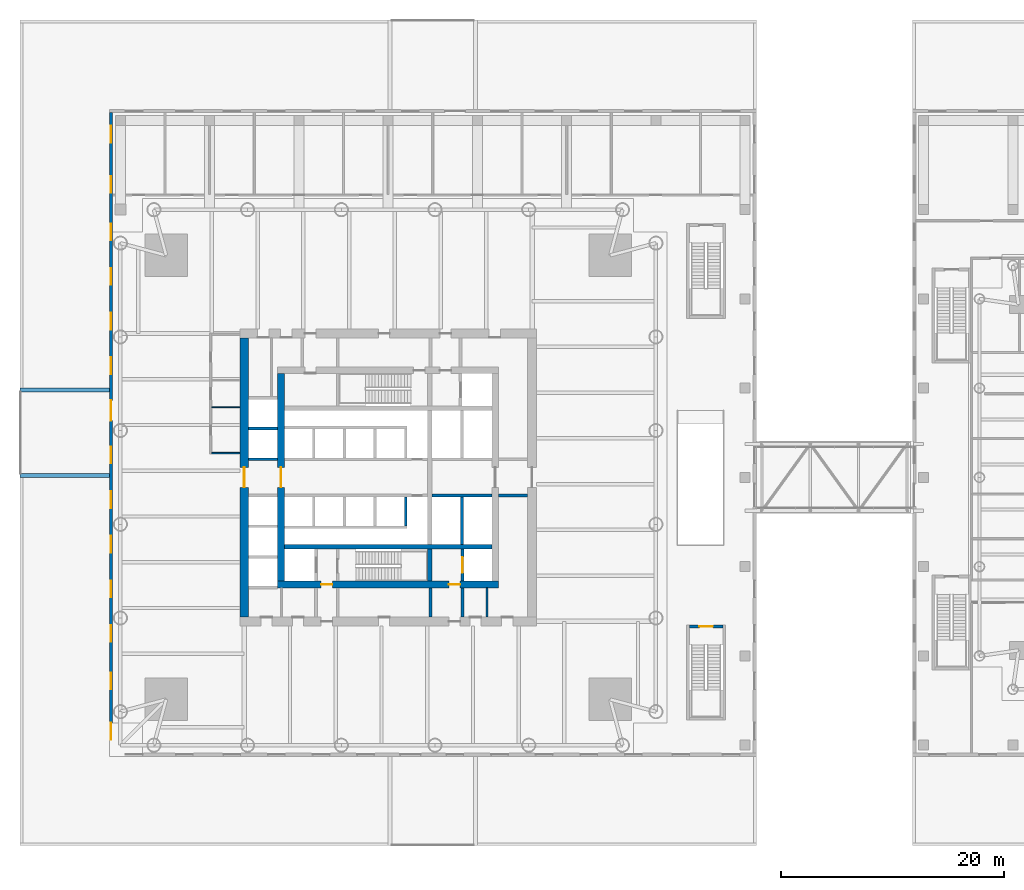
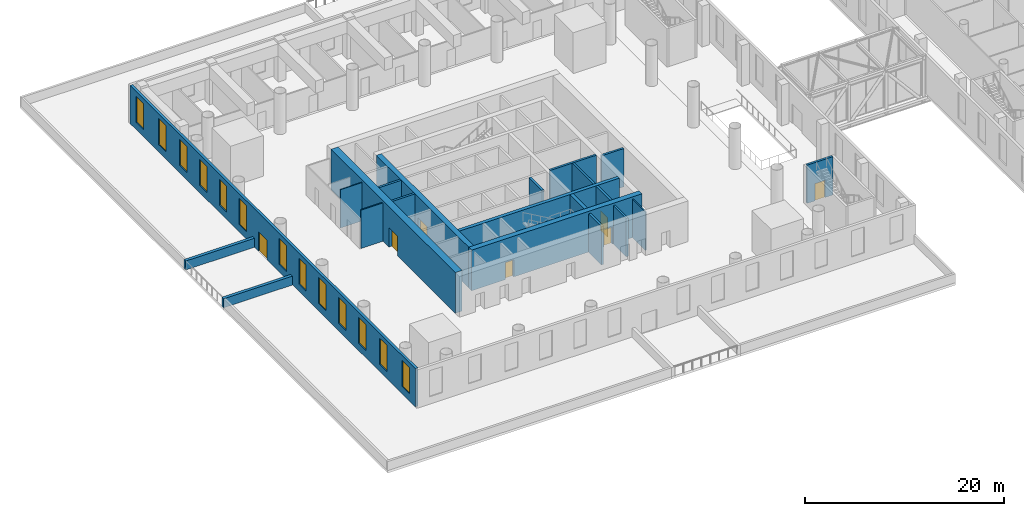
# One storey, part 10 of 23: 21 walls, 13 windows, 7 doors, 20 openings.
"""IFC4 building model written with IfcOpenShell, lengths in metres."""

from ifc_helpers import new_model, si_unit, direction, frame, frame_2d, origin, place, context, subcontext, project, spatial, rectangle, extrude, material, layer, layer_set, type_object, element, fill, save


model = new_model("IFC4")

# Units and contexts
model_context = context("Model", 3, precision=1e-05, world=origin(), true_north=direction((0.0, 1.0)))
body_context = subcontext(model_context, "Body", "Model", "MODEL_VIEW")
ifc_project = project(units=[si_unit("LENGTHUNIT", "METRE"), si_unit("AREAUNIT", "SQUARE_METRE"), si_unit("VOLUMEUNIT", "CUBIC_METRE"), si_unit("PLANEANGLEUNIT", "RADIAN"), si_unit("MASSUNIT", "GRAM", prefix="KILO")], contexts=[model_context])

# Site, building, storey
site_placement = place(None, origin())
site = spatial("IfcSite", under=ifc_project, at=site_placement, CompositionType="ELEMENT")
building_placement = place(site_placement, origin())
building = spatial("IfcBuilding", under=site, at=building_placement, Name="Ostroluk Exchange", CompositionType="ELEMENT")
storey_placement = place(building_placement, frame((0.0, 0.0, 11.0)))
storey = spatial("IfcBuildingStorey", under=building, at=storey_placement, Name="L02", CompositionType="ELEMENT", Elevation=11.0)

# Walls
ifc_material_1 = material(Name="Concrete blockwork", Category="masonry")
ifc_layer_1 = layer(ifc_material_1, 0.10009765625)
ifc_layer_set_1 = layer_set([ifc_layer_1], Name="Blockwork WC wall 100")
wall_type_1 = type_object("IfcWallType", Name="Blockwork WC wall 100", PredefinedType="SOLIDWALL", material=ifc_layer_set_1)
wall_1_placement = place(storey_placement, frame((29.175048828125, 52.300048828125, 0.0), z_axis=(0.0, 0.0, 1.0), x_axis=(1.0, 0.0, 0.0)))
element("IfcWall", 1, at=wall_1_placement, inside=storey, type_object=wall_type_1, Name="Blockwork WC wall", PredefinedType="SOLIDWALL", context=body_context, shape_type="SweptSolid", body=[
    extrude(rectangle(XDim=2.52490234375, YDim=0.10009765625, at=frame_2d((1.262451171875, 0.0))), origin(), (0.0, 0.0, 1.0), 4.699951171875),
])
ifc_material_2 = material(Name="Concrete blockwork", Category="masonry")
ifc_layer_2 = layer(ifc_material_2, 0.14990234375)
ifc_layer_set_2 = layer_set([ifc_layer_2], Name="Blockwork plant room wall 150")
wall_type_2 = type_object("IfcWallType", Name="Blockwork plant room wall 150", PredefinedType="SOLIDWALL", material=ifc_layer_set_2)
wall_2_placement = place(storey_placement, frame((53.85205078125, 33.5, 0.0), z_axis=(0.0, 0.0, 1.0), x_axis=(0.0, 1.0, 0.0)))
element("IfcWall", 2, at=wall_2_placement, inside=storey, type_object=wall_type_2, Name="Core room wall", PredefinedType="SOLIDWALL", context=body_context, shape_type="SweptSolid", body=[
    extrude(rectangle(XDim=2.60009765625, YDim=0.14990234375, at=frame_2d((1.300048828125, 0.0))), origin(), (0.0, 0.0, 1.0), 4.699951171875),
])
ifc_material_3 = material(Name="Concrete blockwork", Category="masonry")
ifc_layer_3 = layer(ifc_material_3, 0.25)
ifc_layer_set_3 = layer_set([ifc_layer_3], Name="Blockwork stair enclosure wall 250")
wall_type_3 = type_object("IfcWallType", Name="Blockwork stair enclosure wall 250", PredefinedType="SOLIDWALL", material=ifc_layer_set_3)
for number, where, z_axis, x_axis, name in (
    (3, (54.89990234375, 44.375, 0.0), (0.0, 0.0, 1.0), (1.0, 0.0, 0.0), "Lift lobby enclosure wall"),
    (4, (48.804931640625, 33.5, 0.0), (0.0, 0.0, 1.0), (0.0, 1.0, 0.0), "Service lobby enclosure wall"),
    (5, (51.675048828125, 33.5, 0.0), (0.0, 0.0, 1.0), (0.0, 1.0, 0.0), "Service lobby enclosure wall"),
):
    element("IfcWall", number, at=place(storey_placement, frame(where, z_axis=z_axis, x_axis=x_axis)), inside=storey, type_object=wall_type_3, Name=name, PredefinedType="SOLIDWALL", context=body_context, shape_type="SweptSolid", body=[
        extrude(rectangle(XDim=2.60009765625, YDim=0.25, at=frame_2d((1.300048828125, 0.0))), origin(), (0.0, 0.0, 1.0), 4.699951171875),
    ])

# Wall, opening, door
wall_3_placement = place(storey_placement, frame((72.0, 32.625, 0.0), z_axis=(0.0, 0.0, 1.0), x_axis=(1.0, 0.0, 0.0)))
wall_3 = element("IfcWall", 6, at=wall_3_placement, inside=storey, type_object=wall_type_3, Name="Stair PS3 enclosure wall", PredefinedType="SOLIDWALL", context=body_context, shape_type="SweptSolid", body=[
    extrude(rectangle(XDim=3.0, YDim=0.25, at=frame_2d((1.5, 0.0))), origin(), (0.0, 0.0, 1.0), 4.699951171875),
])
opening_1_placement = place(wall_3_placement, frame((0.89990234375, 0.0, 0.0)))
opening_1 = element("IfcOpeningElement", 7, at=opening_1_placement, cuts=wall_3, Name="Opening FD60S", PredefinedType="OPENING", context=body_context, shape_type="SweptSolid", body=[
    extrude(rectangle(XDim=1.199951171875, YDim=2.10009765625, at=frame_2d((0.60009765625, 1.050048828125))), frame((0.0, 0.135009765625, 0.0), z_axis=(0.0, -1.0, 0.0), x_axis=(1.0, 0.0, 0.0)), (0.0, 0.0, 1.0), 0.27001953125),
])
ifc_material_4 = material(Name="Steel", Category="steel")
door_type_1 = type_object("IfcDoorType", Name="Stair door EI 60 1200 x 2100", OperationType="SINGLE_SWING_LEFT", PredefinedType="DOOR", material=ifc_material_4)
door_1_placement = place(opening_1_placement, origin())
door_1 = element("IfcDoor", 8, at=door_1_placement, inside=storey, type_object=door_type_1, Name="Stair PS3 door", OperationType="SINGLE_SWING_LEFT", OverallHeight=2.10009765625, OverallWidth=1.199951171875, PredefinedType="DOOR", context=body_context, shape_type="SweptSolid", body=[
    extrude(rectangle(XDim=1.199951171875, YDim=2.10009765625, at=frame_2d((0.60009765625, 1.050048828125))), frame((0.0, 0.02490234375, 0.0), z_axis=(0.0, -1.0, 0.0), x_axis=(1.0, 0.0, 0.0)), (0.0, 0.0, 1.0), 0.050048828125),
])
fill(opening_1, door_1)

# Walls
ifc_material_5 = material(Name="Concrete C50/60", Category="concrete")
ifc_layer_4 = layer(ifc_material_5, 0.39990234375)
ifc_layer_set_4 = layer_set([ifc_layer_4], Name="Core cross wall 400 C50/60")
wall_type_4 = type_object("IfcWallType", Name="Core cross wall 400 C50/60", PredefinedType="SHEAR", material=ifc_layer_set_4)
wall_4_placement = place(storey_placement, frame((35.699951171875, 39.800048828125, 0.0), z_axis=(0.0, 0.0, 1.0), x_axis=(1.0, 0.0, 0.0)))
element("IfcWall", 9, at=wall_4_placement, inside=storey, type_object=wall_type_4, Name="T1 core wall XS", PredefinedType="SHEAR", context=body_context, shape_type="SweptSolid", body=[
    extrude(rectangle(XDim=18.60009765625, YDim=0.39990234375, at=frame_2d((9.300048828125, 0.0))), origin(), (0.0, 0.0, 1.0), 5.0),
])
wall_5_placement = place(storey_placement, frame((48.72998046875, 36.699951171875, 0.0), z_axis=(0.0, 0.0, 1.0), x_axis=(0.0, 1.0, 0.0)))
element("IfcWall", 10, at=wall_5_placement, inside=storey, type_object=wall_type_4, Name="T1 core wall YE1", PredefinedType="SHEAR", context=body_context, shape_type="SweptSolid", body=[
    extrude(rectangle(XDim=2.900146484375, YDim=0.39990234375, at=frame_2d((1.4501953125, 0.0))), origin(), (0.0, 0.0, 1.0), 5.0),
])

# Wall, opening, door
ifc_material_6 = material(Name="Concrete C40/50", Category="concrete")
ifc_layer_5 = layer(ifc_material_6, 0.25)
ifc_layer_set_5 = layer_set([ifc_layer_5], Name="Core shaft wall 250")
wall_type_5 = type_object("IfcWallType", Name="Core shaft wall 250", PredefinedType="SHEAR", material=ifc_layer_set_5)
wall_6_placement = place(storey_placement, frame((51.675048828125, 36.699951171875, 0.0), z_axis=(0.0, 0.0, 1.0), x_axis=(0.0, 1.0, 0.0)))
wall_6 = element("IfcWall", 11, at=wall_6_placement, inside=storey, type_object=wall_type_5, Name="Service lift shaft wall", PredefinedType="SHEAR", context=body_context, shape_type="SweptSolid", body=[
    extrude(rectangle(XDim=2.900146484375, YDim=0.25, at=frame_2d((1.4501953125, 0.0))), origin(), (0.0, 0.0, 1.0), 5.0),
])
opening_2_placement = place(wall_6_placement, frame((0.75, 0.0, 0.0)))
opening_2 = element("IfcOpeningElement", 12, at=opening_2_placement, cuts=wall_6, Name="Opening LD3", PredefinedType="OPENING", context=body_context, shape_type="SweptSolid", body=[
    extrude(rectangle(XDim=1.39990234375, YDim=2.39990234375, at=frame_2d((0.699951171875, 1.199951171875))), frame((0.0, 0.135009765625, 0.0), z_axis=(0.0, -1.0, 0.0), x_axis=(1.0, 0.0, 0.0)), (0.0, 0.0, 1.0), 0.27001953125),
])
ifc_material_7 = material(Name="Stainless steel", Category="steel")
door_type_2 = type_object("IfcDoorType", Name="Goods lift landing door E 60 1400 x 2400", OperationType="DOUBLE_DOOR_SLIDING", PredefinedType="DOOR", material=ifc_material_7)
door_2_placement = place(opening_2_placement, origin())
door_2 = element("IfcDoor", 13, at=door_2_placement, inside=storey, type_object=door_type_2, Name="Lift SL1 landing door", OperationType="DOUBLE_DOOR_SLIDING", OverallHeight=2.39990234375, OverallWidth=1.39990234375, PredefinedType="DOOR", context=body_context, shape_type="SweptSolid", body=[
    extrude(rectangle(XDim=1.39990234375, YDim=2.39990234375, at=frame_2d((0.699951171875, 1.199951171875))), frame((0.0, 0.02490234375, 0.0), z_axis=(0.0, -1.0, 0.0), x_axis=(1.0, 0.0, 0.0)), (0.0, 0.0, 1.0), 0.050048828125),
])
fill(opening_2, door_2)

# Walls
wall_7_placement = place(storey_placement, frame((46.574951171875, 44.25, 0.0), z_axis=(0.0, 0.0, 1.0), x_axis=(0.0, -1.0, 0.0)))
element("IfcWall", 14, at=wall_7_placement, inside=storey, type_object=wall_type_5, Name="Lift shaft wall", PredefinedType="SHEAR", context=body_context, shape_type="SweptSolid", body=[
    extrude(rectangle(XDim=2.60009765625, YDim=0.25, at=frame_2d((1.300048828125, 0.0))), origin(), (0.0, 0.0, 1.0), 5.0),
])
wall_8_placement = place(storey_placement, frame((51.614990234375, 44.25, 0.0), z_axis=(0.0, 0.0, 1.0), x_axis=(0.0, -1.0, 0.0)))
element("IfcWall", 15, at=wall_8_placement, inside=storey, type_object=wall_type_5, Name="Lift shaft wall", PredefinedType="SHEAR", context=body_context, shape_type="SweptSolid", body=[
    extrude(rectangle(XDim=4.25, YDim=0.25, at=frame_2d((2.125, 0.0))), origin(), (0.0, 0.0, 1.0), 5.0),
])
wall_9_placement = place(storey_placement, frame((48.929931640625, 44.375, 0.0), z_axis=(0.0, 0.0, 1.0), x_axis=(1.0, 0.0, 0.0)))
element("IfcWall", 16, at=wall_9_placement, inside=storey, type_object=wall_type_5, Name="Lift shaft front wall", PredefinedType="SHEAR", context=body_context, shape_type="SweptSolid", body=[
    extrude(rectangle(XDim=5.3701171875, YDim=0.25, at=frame_2d((2.68505859375, 0.0))), origin(), (0.0, 0.0, 1.0), 5.0),
])
for number, where, z_axis, x_axis, name in (
    (17, (32.5, 47.625, 0.0), (0.0, 0.0, 1.0), (1.0, 0.0, 0.0), "Lift shaft wall"),
    (18, (32.5, 50.375, 0.0), (0.0, 0.0, 1.0), (1.0, 0.0, 0.0), "Lift shaft wall"),
):
    element("IfcWall", number, at=place(storey_placement, frame(where, z_axis=z_axis, x_axis=x_axis)), inside=storey, type_object=wall_type_5, Name=name, PredefinedType="SHEAR", context=body_context, shape_type="SweptSolid", body=[
        extrude(rectangle(XDim=2.60009765625, YDim=0.25, at=frame_2d((1.300048828125, 0.0))), origin(), (0.0, 0.0, 1.0), 5.0),
    ])

# Wall, openings, doors
ifc_material_8 = material(Name="Concrete C50/60", Category="concrete")
ifc_layer_6 = layer(ifc_material_8, 0.60009765625)
ifc_layer_set_6 = layer_set([ifc_layer_6], Name="Core wall 600 C50/60")
wall_type_6 = type_object("IfcWallType", Name="Core wall 600 C50/60", PredefinedType="SHEAR", material=ifc_layer_set_6)
wall_10_placement = place(storey_placement, frame((35.10009765625, 36.39990234375, 0.0), z_axis=(0.0, 0.0, 1.0), x_axis=(1.0, 0.0, 0.0)))
wall_10 = element("IfcWall", 19, at=wall_10_placement, inside=storey, type_object=wall_type_6, Name="T1 core wall S", PredefinedType="SHEAR", context=body_context, shape_type="SweptSolid", body=[
    extrude(rectangle(XDim=19.7998046875, YDim=0.60009765625, at=frame_2d((9.89990234375, 0.0))), origin(), (0.0, 0.0, 1.0), 5.0),
])
opening_3_placement = place(wall_10_placement, frame((3.89990234375, 0.0, 0.0)))
opening_3 = element("IfcOpeningElement", 20, at=opening_3_placement, cuts=wall_10, Name="Opening FD60", PredefinedType="OPENING", context=body_context, shape_type="SweptSolid", body=[
    extrude(rectangle(XDim=1.0, YDim=2.10009765625, at=frame_2d((0.5, 1.050048828125))), frame((0.0, 0.31005859375, 0.0), z_axis=(0.0, -1.0, 0.0), x_axis=(1.0, 0.0, 0.0)), (0.0, 0.0, 1.0), 0.6201171875),
])
opening_4_placement = place(wall_10_placement, frame((15.35009765625, 0.0, 0.0)))
opening_4 = element("IfcOpeningElement", 21, at=opening_4_placement, cuts=wall_10, Name="Opening FD60", PredefinedType="OPENING", context=body_context, shape_type="SweptSolid", body=[
    extrude(rectangle(XDim=1.0, YDim=2.10009765625, at=frame_2d((0.5, 1.050048828125))), frame((0.0, 0.31005859375, 0.0), z_axis=(0.0, -1.0, 0.0), x_axis=(1.0, 0.0, 0.0)), (0.0, 0.0, 1.0), 0.6201171875),
])
ifc_material_9 = material(Name="Steel", Category="steel")
door_type_3 = type_object("IfcDoorType", Name="Fire door EI 60 1000 x 2100", OperationType="SINGLE_SWING_LEFT", PredefinedType="DOOR", material=ifc_material_9)
door_3_placement = place(opening_3_placement, origin())
door_3 = element("IfcDoor", 22, at=door_3_placement, inside=storey, type_object=door_type_3, Name="Firefighting lobby door", OperationType="SINGLE_SWING_LEFT", OverallHeight=2.10009765625, OverallWidth=1.0, PredefinedType="DOOR", context=body_context, shape_type="SweptSolid", body=[
    extrude(rectangle(XDim=1.0, YDim=2.10009765625, at=frame_2d((0.5, 1.050048828125))), frame((0.0, 0.02490234375, 0.0), z_axis=(0.0, -1.0, 0.0), x_axis=(1.0, 0.0, 0.0)), (0.0, 0.0, 1.0), 0.050048828125),
])
fill(opening_3, door_3)
door_4_placement = place(opening_4_placement, origin())
door_4 = element("IfcDoor", 23, at=door_4_placement, inside=storey, type_object=door_type_3, Name="Service lobby door", OperationType="SINGLE_SWING_RIGHT", OverallHeight=2.10009765625, OverallWidth=1.0, PredefinedType="DOOR", context=body_context, shape_type="SweptSolid", body=[
    extrude(rectangle(XDim=1.0, YDim=2.10009765625, at=frame_2d((0.5, 1.050048828125))), frame((0.0, 0.02490234375, 0.0), z_axis=(0.0, -1.0, 0.0), x_axis=(1.0, 0.0, 0.0)), (0.0, 0.0, 1.0), 0.050048828125),
])
fill(opening_4, door_4)

# Wall, opening, door
wall_11_placement = place(storey_placement, frame((35.39990234375, 36.699951171875, 0.0), z_axis=(0.0, 0.0, 1.0), x_axis=(0.0, 1.0, 0.0)))
wall_11 = element("IfcWall", 24, at=wall_11_placement, inside=storey, type_object=wall_type_6, Name="T1 core wall W", PredefinedType="SHEAR", context=body_context, shape_type="SweptSolid", body=[
    extrude(rectangle(XDim=18.60009765625, YDim=0.60009765625, at=frame_2d((9.300048828125, 0.0))), origin(), (0.0, 0.0, 1.0), 5.0),
])
opening_5_placement = place(wall_11_placement, frame((8.39990234375, 0.0, 0.0)))
opening_5 = element("IfcOpeningElement", 25, at=opening_5_placement, cuts=wall_11, Name="Opening FD30D", PredefinedType="OPENING", context=body_context, shape_type="SweptSolid", body=[
    extrude(rectangle(XDim=1.800048828125, YDim=2.39990234375, at=frame_2d((0.89990234375, 1.199951171875))), frame((0.0, 0.31005859375, 0.0), z_axis=(0.0, -1.0, 0.0), x_axis=(1.0, 0.0, 0.0)), (0.0, 0.0, 1.0), 0.6201171875),
])
ifc_material_10 = material(Name="Timber", Category="wood")
door_type_4 = type_object("IfcDoorType", Name="Lobby double door EI 30 1800 x 2400", OperationType="DOUBLE_DOOR_SINGLE_SWING", PredefinedType="DOOR", material=ifc_material_10)
door_5_placement = place(opening_5_placement, origin())
door_5 = element("IfcDoor", 26, at=door_5_placement, inside=storey, type_object=door_type_4, Name="Lift lobby doors", OperationType="DOUBLE_DOOR_SINGLE_SWING", OverallHeight=2.39990234375, OverallWidth=1.800048828125, PredefinedType="DOOR", context=body_context, shape_type="SweptSolid", body=[
    extrude(rectangle(XDim=1.800048828125, YDim=2.39990234375, at=frame_2d((0.89990234375, 1.199951171875))), frame((0.0, 0.02490234375, 0.0), z_axis=(0.0, -1.0, 0.0), x_axis=(1.0, 0.0, 0.0)), (0.0, 0.0, 1.0), 0.050048828125),
])
fill(opening_5, door_5)

ifc_material_11 = material(Name="Concrete C50/60", Category="concrete")
ifc_layer_7 = layer(ifc_material_11, 0.800048828125)
ifc_layer_set_7 = layer_set([ifc_layer_7], Name="Core wall 800 C50/60")
wall_type_7 = type_object("IfcWallType", Name="Core wall 800 C50/60", PredefinedType="SHEAR", material=ifc_layer_set_7)
wall_12_placement = place(storey_placement, frame((32.10009765625, 33.5, 0.0), z_axis=(0.0, 0.0, 1.0), x_axis=(0.0, 1.0, 0.0)))
wall_12 = element("IfcWall", 27, at=wall_12_placement, inside=storey, type_object=wall_type_7, Name="T1 core wall RW", PredefinedType="SHEAR", context=body_context, shape_type="SweptSolid", body=[
    extrude(rectangle(XDim=25.0, YDim=0.800048828125, at=frame_2d((12.5, 0.0))), origin(), (0.0, 0.0, 1.0), 5.0),
])
opening_6_placement = place(wall_12_placement, frame((11.60009765625, 0.0, 0.0)))
opening_6 = element("IfcOpeningElement", 28, at=opening_6_placement, cuts=wall_12, Name="Opening FD30D", PredefinedType="OPENING", context=body_context, shape_type="SweptSolid", body=[
    extrude(rectangle(XDim=1.800048828125, YDim=2.39990234375, at=frame_2d((0.89990234375, 1.199951171875))), frame((0.0, 0.409912109375, 0.0), z_axis=(0.0, -1.0, 0.0), x_axis=(1.0, 0.0, 0.0)), (0.0, 0.0, 1.0), 0.820068359375),
])
door_6_placement = place(opening_6_placement, origin())
door_6 = element("IfcDoor", 29, at=door_6_placement, inside=storey, type_object=door_type_4, Name="Lift lobby doors", OperationType="DOUBLE_DOOR_SINGLE_SWING", OverallHeight=2.39990234375, OverallWidth=1.800048828125, PredefinedType="DOOR", context=body_context, shape_type="SweptSolid", body=[
    extrude(rectangle(XDim=1.800048828125, YDim=2.39990234375, at=frame_2d((0.89990234375, 1.199951171875))), frame((0.0, 0.02490234375, 0.0), z_axis=(0.0, -1.0, 0.0), x_axis=(1.0, 0.0, 0.0)), (0.0, 0.0, 1.0), 0.050048828125),
])
fill(opening_6, door_6)

# Wall, openings, windows, door
ifc_material_12 = material(Name="Limestone", Category="masonry")
ifc_layer_8 = layer(ifc_material_12, 0.300048828125)
ifc_layer_set_8 = layer_set([ifc_layer_8], Name="Limestone facade wall 300")
wall_type_8 = type_object("IfcWallType", Name="Limestone facade wall 300", PredefinedType="SOLIDWALL", material=ifc_layer_set_8)
wall_13_placement = place(storey_placement, frame((20.14990234375, 78.699951171875, 0.0), z_axis=(0.0, 0.0, 1.0), x_axis=(0.0, -1.0, 0.0)))
wall_13 = element("IfcWall", 30, at=wall_13_placement, inside=storey, type_object=wall_type_8, Name="Podium west W wall L02 1a", PredefinedType="SOLIDWALL", context=body_context, shape_type="SweptSolid", body=[
    extrude(rectangle(XDim=57.39990234375, YDim=0.300048828125, at=frame_2d((28.699951171875, 0.0))), origin(), (0.0, 0.0, 1.0), 4.699951171875),
])
opening_7_placement = place(wall_13_placement, frame((1.199951171875, 0.0, 0.89990234375)))
opening_7 = element("IfcOpeningElement", 31, at=opening_7_placement, cuts=wall_13, Name="Opening WN-L2", PredefinedType="OPENING", context=body_context, shape_type="SweptSolid", body=[
    extrude(rectangle(XDim=1.5, YDim=3.199951171875, at=frame_2d((0.75, 1.60009765625))), frame((0.0, 0.159912109375, 0.0), z_axis=(0.0, -1.0, 0.0), x_axis=(1.0, 0.0, 0.0)), (0.0, 0.0, 1.0), 0.320068359375),
])
opening_8_placement = place(wall_13_placement, frame((5.699951171875, 0.0, 0.89990234375)))
opening_8 = element("IfcOpeningElement", 32, at=opening_8_placement, cuts=wall_13, Name="Opening WN-L2", PredefinedType="OPENING", context=body_context, shape_type="SweptSolid", body=[
    extrude(rectangle(XDim=1.5, YDim=3.199951171875, at=frame_2d((0.75, 1.60009765625))), frame((0.0, 0.159912109375, 0.0), z_axis=(0.0, -1.0, 0.0), x_axis=(1.0, 0.0, 0.0)), (0.0, 0.0, 1.0), 0.320068359375),
])
opening_9_placement = place(wall_13_placement, frame((9.949951171875, 0.0, 0.89990234375)))
opening_9 = element("IfcOpeningElement", 33, at=opening_9_placement, cuts=wall_13, Name="Opening WN-L2", PredefinedType="OPENING", context=body_context, shape_type="SweptSolid", body=[
    extrude(rectangle(XDim=1.5, YDim=3.199951171875, at=frame_2d((0.75, 1.60009765625))), frame((0.0, 0.159912109375, 0.0), z_axis=(0.0, -1.0, 0.0), x_axis=(1.0, 0.0, 0.0)), (0.0, 0.0, 1.0), 0.320068359375),
])
opening_10_placement = place(wall_13_placement, frame((13.949951171875, 0.0, 0.89990234375)))
opening_10 = element("IfcOpeningElement", 34, at=opening_10_placement, cuts=wall_13, Name="Opening WN-L2", PredefinedType="OPENING", context=body_context, shape_type="SweptSolid", body=[
    extrude(rectangle(XDim=1.5, YDim=3.199951171875, at=frame_2d((0.75, 1.60009765625))), frame((0.0, 0.159912109375, 0.0), z_axis=(0.0, -1.0, 0.0), x_axis=(1.0, 0.0, 0.0)), (0.0, 0.0, 1.0), 0.320068359375),
])
opening_11_placement = place(wall_13_placement, frame((17.949951171875, 0.0, 0.89990234375)))
opening_11 = element("IfcOpeningElement", 35, at=opening_11_placement, cuts=wall_13, Name="Opening WN-L2", PredefinedType="OPENING", context=body_context, shape_type="SweptSolid", body=[
    extrude(rectangle(XDim=1.5, YDim=3.199951171875, at=frame_2d((0.75, 1.60009765625))), frame((0.0, 0.159912109375, 0.0), z_axis=(0.0, -1.0, 0.0), x_axis=(1.0, 0.0, 0.0)), (0.0, 0.0, 1.0), 0.320068359375),
])
opening_12_placement = place(wall_13_placement, frame((21.949951171875, 0.0, 0.89990234375)))
opening_12 = element("IfcOpeningElement", 36, at=opening_12_placement, cuts=wall_13, Name="Opening WN-L2", PredefinedType="OPENING", context=body_context, shape_type="SweptSolid", body=[
    extrude(rectangle(XDim=1.5, YDim=3.199951171875, at=frame_2d((0.75, 1.60009765625))), frame((0.0, 0.159912109375, 0.0), z_axis=(0.0, -1.0, 0.0), x_axis=(1.0, 0.0, 0.0)), (0.0, 0.0, 1.0), 0.320068359375),
])
opening_13_placement = place(wall_13_placement, frame((25.800048828125, 0.0, 0.0)))
opening_13 = element("IfcOpeningElement", 37, at=opening_13_placement, cuts=wall_13, Name="Opening D-T1", PredefinedType="OPENING", context=body_context, shape_type="SweptSolid", body=[
    extrude(rectangle(XDim=1.800048828125, YDim=2.39990234375, at=frame_2d((0.89990234375, 1.199951171875))), frame((0.0, 0.159912109375, 0.0), z_axis=(0.0, -1.0, 0.0), x_axis=(1.0, 0.0, 0.0)), (0.0, 0.0, 1.0), 0.320068359375),
])
opening_14_placement = place(wall_13_placement, frame((29.949951171875, 0.0, 0.89990234375)))
opening_14 = element("IfcOpeningElement", 38, at=opening_14_placement, cuts=wall_13, Name="Opening WN-L2", PredefinedType="OPENING", context=body_context, shape_type="SweptSolid", body=[
    extrude(rectangle(XDim=1.5, YDim=3.199951171875, at=frame_2d((0.75, 1.60009765625))), frame((0.0, 0.159912109375, 0.0), z_axis=(0.0, -1.0, 0.0), x_axis=(1.0, 0.0, 0.0)), (0.0, 0.0, 1.0), 0.320068359375),
])
opening_15_placement = place(wall_13_placement, frame((33.949951171875, 0.0, 0.89990234375)))
opening_15 = element("IfcOpeningElement", 39, at=opening_15_placement, cuts=wall_13, Name="Opening WN-L2", PredefinedType="OPENING", context=body_context, shape_type="SweptSolid", body=[
    extrude(rectangle(XDim=1.5, YDim=3.199951171875, at=frame_2d((0.75, 1.60009765625))), frame((0.0, 0.159912109375, 0.0), z_axis=(0.0, -1.0, 0.0), x_axis=(1.0, 0.0, 0.0)), (0.0, 0.0, 1.0), 0.320068359375),
])
opening_16_placement = place(wall_13_placement, frame((37.949951171875, 0.0, 0.89990234375)))
opening_16 = element("IfcOpeningElement", 40, at=opening_16_placement, cuts=wall_13, Name="Opening WN-L2", PredefinedType="OPENING", context=body_context, shape_type="SweptSolid", body=[
    extrude(rectangle(XDim=1.5, YDim=3.199951171875, at=frame_2d((0.75, 1.60009765625))), frame((0.0, 0.159912109375, 0.0), z_axis=(0.0, -1.0, 0.0), x_axis=(1.0, 0.0, 0.0)), (0.0, 0.0, 1.0), 0.320068359375),
])
opening_17_placement = place(wall_13_placement, frame((41.949951171875, 0.0, 0.89990234375)))
opening_17 = element("IfcOpeningElement", 41, at=opening_17_placement, cuts=wall_13, Name="Opening WN-L2", PredefinedType="OPENING", context=body_context, shape_type="SweptSolid", body=[
    extrude(rectangle(XDim=1.5, YDim=3.199951171875, at=frame_2d((0.75, 1.60009765625))), frame((0.0, 0.159912109375, 0.0), z_axis=(0.0, -1.0, 0.0), x_axis=(1.0, 0.0, 0.0)), (0.0, 0.0, 1.0), 0.320068359375),
])
opening_18_placement = place(wall_13_placement, frame((45.949951171875, 0.0, 0.89990234375)))
opening_18 = element("IfcOpeningElement", 42, at=opening_18_placement, cuts=wall_13, Name="Opening WN-L2", PredefinedType="OPENING", context=body_context, shape_type="SweptSolid", body=[
    extrude(rectangle(XDim=1.5, YDim=3.199951171875, at=frame_2d((0.75, 1.60009765625))), frame((0.0, 0.159912109375, 0.0), z_axis=(0.0, -1.0, 0.0), x_axis=(1.0, 0.0, 0.0)), (0.0, 0.0, 1.0), 0.320068359375),
])
opening_19_placement = place(wall_13_placement, frame((50.199951171875, 0.0, 0.89990234375)))
opening_19 = element("IfcOpeningElement", 43, at=opening_19_placement, cuts=wall_13, Name="Opening WN-L2", PredefinedType="OPENING", context=body_context, shape_type="SweptSolid", body=[
    extrude(rectangle(XDim=1.5, YDim=3.199951171875, at=frame_2d((0.75, 1.60009765625))), frame((0.0, 0.159912109375, 0.0), z_axis=(0.0, -1.0, 0.0), x_axis=(1.0, 0.0, 0.0)), (0.0, 0.0, 1.0), 0.320068359375),
])
opening_20_placement = place(wall_13_placement, frame((54.699951171875, 0.0, 0.89990234375)))
opening_20 = element("IfcOpeningElement", 44, at=opening_20_placement, cuts=wall_13, Name="Opening WN-L2", PredefinedType="OPENING", context=body_context, shape_type="SweptSolid", body=[
    extrude(rectangle(XDim=1.5, YDim=3.199951171875, at=frame_2d((0.75, 1.60009765625))), frame((0.0, 0.159912109375, 0.0), z_axis=(0.0, -1.0, 0.0), x_axis=(1.0, 0.0, 0.0)), (0.0, 0.0, 1.0), 0.320068359375),
])
ifc_material_13 = material(Name="Laminated clear glass", Category="glass")
window_type = type_object("IfcWindowType", Name="Podium lancet window 1500 x 3200", PartitioningType="DOUBLE_PANEL_VERTICAL", PredefinedType="WINDOW", material=ifc_material_13)
window_1_placement = place(opening_7_placement, origin())
window_1 = element("IfcWindow", 45, at=window_1_placement, inside=storey, type_object=window_type, Name="Podium west lancet window W L02 1.1", OverallHeight=3.199951171875, OverallWidth=1.5, PartitioningType="SINGLE_PANEL", PredefinedType="WINDOW", context=body_context, shape_type="SweptSolid", body=[
    extrude(rectangle(XDim=1.5, YDim=3.199951171875, at=frame_2d((0.75, 1.60009765625))), frame((0.0, 0.030029296875, 0.0), z_axis=(0.0, -1.0, 0.0), x_axis=(1.0, 0.0, 0.0)), (0.0, 0.0, 1.0), 0.06005859375),
])
fill(opening_7, window_1)
window_2_placement = place(opening_8_placement, origin())
window_2 = element("IfcWindow", 46, at=window_2_placement, inside=storey, type_object=window_type, Name="Podium west lancet window W L02 1.2", OverallHeight=3.199951171875, OverallWidth=1.5, PartitioningType="SINGLE_PANEL", PredefinedType="WINDOW", context=body_context, shape_type="SweptSolid", body=[
    extrude(rectangle(XDim=1.5, YDim=3.199951171875, at=frame_2d((0.75, 1.60009765625))), frame((0.0, 0.030029296875, 0.0), z_axis=(0.0, -1.0, 0.0), x_axis=(1.0, 0.0, 0.0)), (0.0, 0.0, 1.0), 0.06005859375),
])
fill(opening_8, window_2)
window_3_placement = place(opening_9_placement, origin())
window_3 = element("IfcWindow", 47, at=window_3_placement, inside=storey, type_object=window_type, Name="Podium west lancet window W L02 2.1", OverallHeight=3.199951171875, OverallWidth=1.5, PartitioningType="SINGLE_PANEL", PredefinedType="WINDOW", context=body_context, shape_type="SweptSolid", body=[
    extrude(rectangle(XDim=1.5, YDim=3.199951171875, at=frame_2d((0.75, 1.60009765625))), frame((0.0, 0.030029296875, 0.0), z_axis=(0.0, -1.0, 0.0), x_axis=(1.0, 0.0, 0.0)), (0.0, 0.0, 1.0), 0.06005859375),
])
fill(opening_9, window_3)
window_4_placement = place(opening_10_placement, origin())
window_4 = element("IfcWindow", 48, at=window_4_placement, inside=storey, type_object=window_type, Name="Podium west lancet window W L02 2.2", OverallHeight=3.199951171875, OverallWidth=1.5, PartitioningType="SINGLE_PANEL", PredefinedType="WINDOW", context=body_context, shape_type="SweptSolid", body=[
    extrude(rectangle(XDim=1.5, YDim=3.199951171875, at=frame_2d((0.75, 1.60009765625))), frame((0.0, 0.030029296875, 0.0), z_axis=(0.0, -1.0, 0.0), x_axis=(1.0, 0.0, 0.0)), (0.0, 0.0, 1.0), 0.06005859375),
])
fill(opening_10, window_4)
window_5_placement = place(opening_11_placement, origin())
window_5 = element("IfcWindow", 49, at=window_5_placement, inside=storey, type_object=window_type, Name="Podium west lancet window W L02 3.1", OverallHeight=3.199951171875, OverallWidth=1.5, PartitioningType="SINGLE_PANEL", PredefinedType="WINDOW", context=body_context, shape_type="SweptSolid", body=[
    extrude(rectangle(XDim=1.5, YDim=3.199951171875, at=frame_2d((0.75, 1.60009765625))), frame((0.0, 0.030029296875, 0.0), z_axis=(0.0, -1.0, 0.0), x_axis=(1.0, 0.0, 0.0)), (0.0, 0.0, 1.0), 0.06005859375),
])
fill(opening_11, window_5)
window_6_placement = place(opening_12_placement, origin())
window_6 = element("IfcWindow", 50, at=window_6_placement, inside=storey, type_object=window_type, Name="Podium west lancet window W L02 3.2", OverallHeight=3.199951171875, OverallWidth=1.5, PartitioningType="SINGLE_PANEL", PredefinedType="WINDOW", context=body_context, shape_type="SweptSolid", body=[
    extrude(rectangle(XDim=1.5, YDim=3.199951171875, at=frame_2d((0.75, 1.60009765625))), frame((0.0, 0.030029296875, 0.0), z_axis=(0.0, -1.0, 0.0), x_axis=(1.0, 0.0, 0.0)), (0.0, 0.0, 1.0), 0.06005859375),
])
fill(opening_12, window_6)
window_7_placement = place(opening_14_placement, origin())
window_7 = element("IfcWindow", 51, at=window_7_placement, inside=storey, type_object=window_type, Name="Podium west lancet window W L02 4.2", OverallHeight=3.199951171875, OverallWidth=1.5, PartitioningType="SINGLE_PANEL", PredefinedType="WINDOW", context=body_context, shape_type="SweptSolid", body=[
    extrude(rectangle(XDim=1.5, YDim=3.199951171875, at=frame_2d((0.75, 1.60009765625))), frame((0.0, 0.030029296875, 0.0), z_axis=(0.0, -1.0, 0.0), x_axis=(1.0, 0.0, 0.0)), (0.0, 0.0, 1.0), 0.06005859375),
])
fill(opening_14, window_7)
window_8_placement = place(opening_15_placement, origin())
window_8 = element("IfcWindow", 52, at=window_8_placement, inside=storey, type_object=window_type, Name="Podium west lancet window W L02 5.1", OverallHeight=3.199951171875, OverallWidth=1.5, PartitioningType="SINGLE_PANEL", PredefinedType="WINDOW", context=body_context, shape_type="SweptSolid", body=[
    extrude(rectangle(XDim=1.5, YDim=3.199951171875, at=frame_2d((0.75, 1.60009765625))), frame((0.0, 0.030029296875, 0.0), z_axis=(0.0, -1.0, 0.0), x_axis=(1.0, 0.0, 0.0)), (0.0, 0.0, 1.0), 0.06005859375),
])
fill(opening_15, window_8)
window_9_placement = place(opening_16_placement, origin())
window_9 = element("IfcWindow", 53, at=window_9_placement, inside=storey, type_object=window_type, Name="Podium west lancet window W L02 5.2", OverallHeight=3.199951171875, OverallWidth=1.5, PartitioningType="SINGLE_PANEL", PredefinedType="WINDOW", context=body_context, shape_type="SweptSolid", body=[
    extrude(rectangle(XDim=1.5, YDim=3.199951171875, at=frame_2d((0.75, 1.60009765625))), frame((0.0, 0.030029296875, 0.0), z_axis=(0.0, -1.0, 0.0), x_axis=(1.0, 0.0, 0.0)), (0.0, 0.0, 1.0), 0.06005859375),
])
fill(opening_16, window_9)
window_10_placement = place(opening_17_placement, origin())
window_10 = element("IfcWindow", 54, at=window_10_placement, inside=storey, type_object=window_type, Name="Podium west lancet window W L02 6.1", OverallHeight=3.199951171875, OverallWidth=1.5, PartitioningType="SINGLE_PANEL", PredefinedType="WINDOW", context=body_context, shape_type="SweptSolid", body=[
    extrude(rectangle(XDim=1.5, YDim=3.199951171875, at=frame_2d((0.75, 1.60009765625))), frame((0.0, 0.030029296875, 0.0), z_axis=(0.0, -1.0, 0.0), x_axis=(1.0, 0.0, 0.0)), (0.0, 0.0, 1.0), 0.06005859375),
])
fill(opening_17, window_10)
window_11_placement = place(opening_18_placement, origin())
window_11 = element("IfcWindow", 55, at=window_11_placement, inside=storey, type_object=window_type, Name="Podium west lancet window W L02 6.2", OverallHeight=3.199951171875, OverallWidth=1.5, PartitioningType="SINGLE_PANEL", PredefinedType="WINDOW", context=body_context, shape_type="SweptSolid", body=[
    extrude(rectangle(XDim=1.5, YDim=3.199951171875, at=frame_2d((0.75, 1.60009765625))), frame((0.0, 0.030029296875, 0.0), z_axis=(0.0, -1.0, 0.0), x_axis=(1.0, 0.0, 0.0)), (0.0, 0.0, 1.0), 0.06005859375),
])
fill(opening_18, window_11)
window_12_placement = place(opening_19_placement, origin())
window_12 = element("IfcWindow", 56, at=window_12_placement, inside=storey, type_object=window_type, Name="Podium west lancet window W L02 7.1", OverallHeight=3.199951171875, OverallWidth=1.5, PartitioningType="SINGLE_PANEL", PredefinedType="WINDOW", context=body_context, shape_type="SweptSolid", body=[
    extrude(rectangle(XDim=1.5, YDim=3.199951171875, at=frame_2d((0.75, 1.60009765625))), frame((0.0, 0.030029296875, 0.0), z_axis=(0.0, -1.0, 0.0), x_axis=(1.0, 0.0, 0.0)), (0.0, 0.0, 1.0), 0.06005859375),
])
fill(opening_19, window_12)
window_13_placement = place(opening_20_placement, origin())
window_13 = element("IfcWindow", 57, at=window_13_placement, inside=storey, type_object=window_type, Name="Podium west lancet window W L02 7.2", OverallHeight=3.199951171875, OverallWidth=1.5, PartitioningType="SINGLE_PANEL", PredefinedType="WINDOW", context=body_context, shape_type="SweptSolid", body=[
    extrude(rectangle(XDim=1.5, YDim=3.199951171875, at=frame_2d((0.75, 1.60009765625))), frame((0.0, 0.030029296875, 0.0), z_axis=(0.0, -1.0, 0.0), x_axis=(1.0, 0.0, 0.0)), (0.0, 0.0, 1.0), 0.06005859375),
])
fill(opening_20, window_13)
ifc_material_14 = material(Name="Bronze framed glazed door", Category="aluminium")
door_type_5 = type_object("IfcDoorType", Name="Terrace double door 1800 x 2400", OperationType="DOUBLE_DOOR_SINGLE_SWING", PredefinedType="DOOR", material=ifc_material_14)
door_7_placement = place(opening_13_placement, origin())
door_7 = element("IfcDoor", 58, at=door_7_placement, inside=storey, type_object=door_type_5, Name="Podium west terrace door W L02 4", OperationType="DOUBLE_DOOR_SINGLE_SWING", OverallHeight=2.39990234375, OverallWidth=1.800048828125, PredefinedType="DOOR", context=body_context, shape_type="SweptSolid", body=[
    extrude(rectangle(XDim=1.800048828125, YDim=2.39990234375, at=frame_2d((0.89990234375, 1.199951171875))), frame((0.0, 0.02490234375, 0.0), z_axis=(0.0, -1.0, 0.0), x_axis=(1.0, 0.0, 0.0)), (0.0, 0.0, 1.0), 0.050048828125),
])
fill(opening_13, door_7)

# Walls
ifc_material_15 = material(Name="Limestone", Category="masonry")
ifc_layer_9 = layer(ifc_material_15, 0.35009765625)
ifc_layer_set_9 = layer_set([ifc_layer_9], Name="Planter wall 350")
wall_type_9 = type_object("IfcWallType", Name="Planter wall 350", PredefinedType="PARAPET", material=ifc_layer_set_9)
for number, where, z_axis, x_axis, name in (
    (59, (12.0, 46.175048828125, 0.0), (0.0, 0.0, 1.0), (1.0, 0.0, 0.0), "Terrace planter wall L02 1"),
    (60, (12.0, 53.824951171875, 0.0), (0.0, 0.0, 1.0), (1.0, 0.0, 0.0), "Terrace planter wall L02 2"),
):
    element("IfcWall", number, at=place(storey_placement, frame(where, z_axis=z_axis, x_axis=x_axis)), inside=storey, type_object=wall_type_9, Name=name, PredefinedType="PARAPET", context=body_context, shape_type="SweptSolid", body=[
        extrude(rectangle(XDim=8.0, YDim=0.35009765625, at=frame_2d((4.0, 0.0))), origin(), (0.0, 0.0, 1.0), 1.10009765625),
    ])
ifc_material_16 = material(Name="Gypsum plasterboard partition, moisture resistant", Category="gypsum")
ifc_layer_10 = layer(ifc_material_16, 0.14990234375)
ifc_layer_set_10 = layer_set([ifc_layer_10], Name="Plasterboard toilet partition 150")
wall_type_10 = type_object("IfcWallType", Name="Plasterboard toilet partition 150", PredefinedType="PARTITIONING", material=ifc_layer_set_10)
wall_14_placement = place(storey_placement, frame((29.175048828125, 48.175048828125, 0.0), z_axis=(0.0, 0.0, 1.0), x_axis=(1.0, 0.0, 0.0)))
element("IfcWall", 61, at=wall_14_placement, inside=storey, type_object=wall_type_10, Name="Toilet partition", PredefinedType="PARTITIONING", context=body_context, shape_type="SweptSolid", body=[
    extrude(rectangle(XDim=2.52490234375, YDim=0.14990234375, at=frame_2d((1.262451171875, 0.0))), origin(), (0.0, 0.0, 1.0), 4.699951171875),
])

save(model, "model.ifc")
